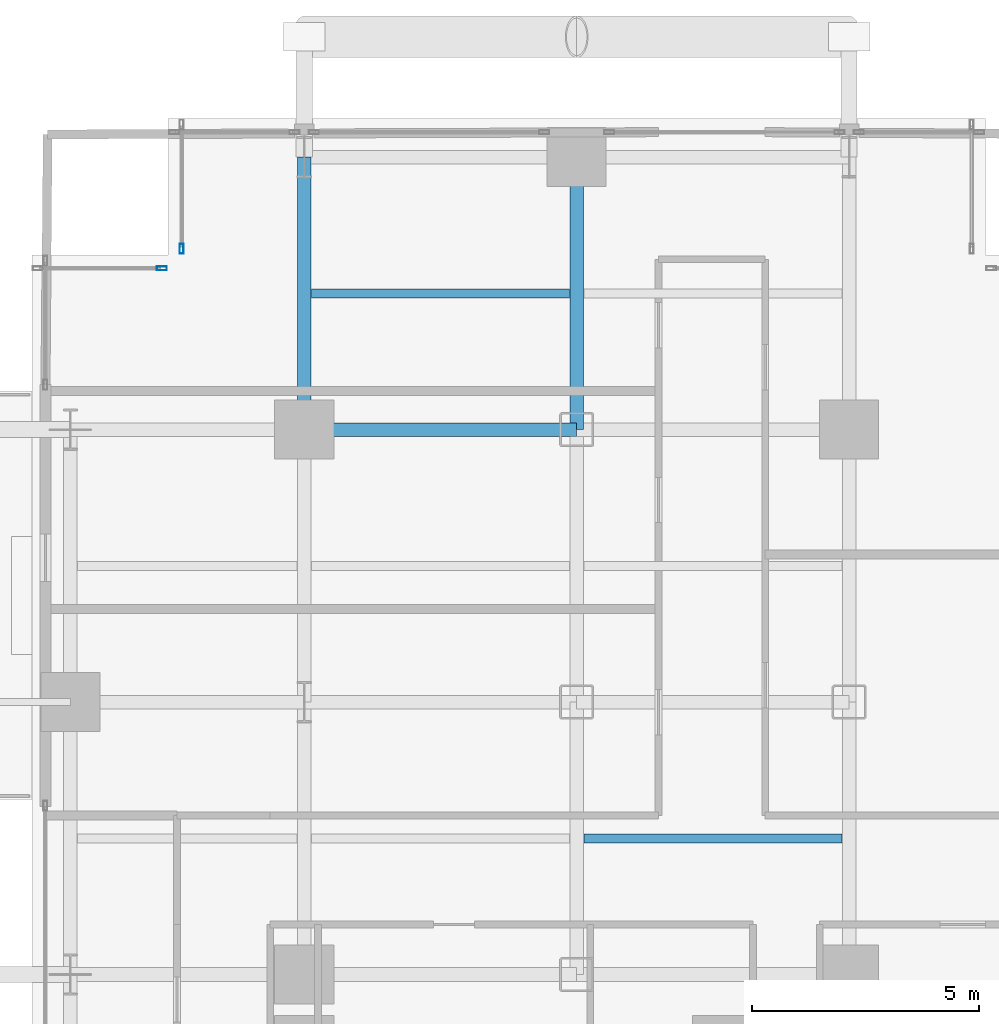
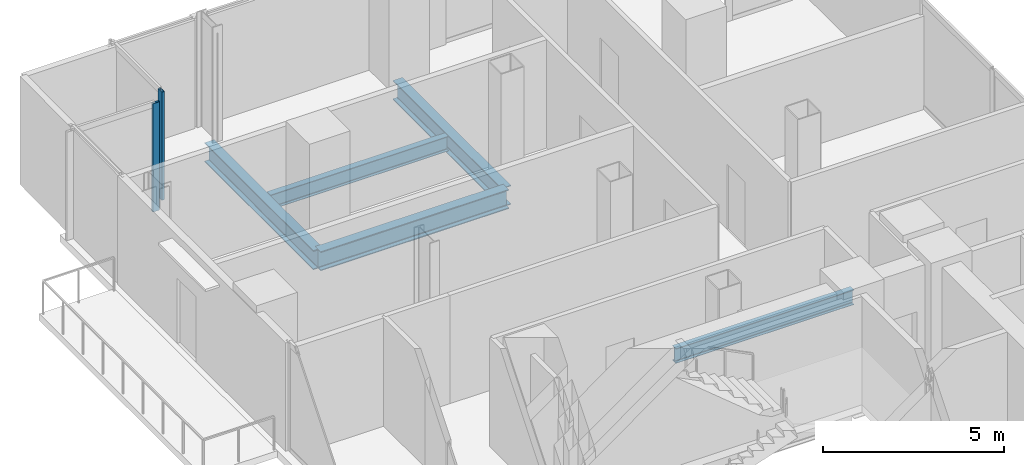
# One storey, part 14 of 27: 5 beams, 2 members, 2 elements without a shape of their own.
"""IFC4 building model written with IfcOpenShell, lengths in metres."""

from ifc_helpers import new_model, si_unit, direction, frame, origin, origin_2d, place, context, subcontext, project, spatial, hollow_rectangle, i_section, extrude, material, layer, layer_set, material_profile, profile_set, type_object, element, aggregate, save


model = new_model("IFC4")

# Units and contexts
model_context = context("Model", 3, precision=1e-05, world=origin(), true_north=direction((0.0, 1.0)))
body_context = subcontext(model_context, "Body", "Model", "MODEL_VIEW")
ifc_project = project(units=[si_unit("LENGTHUNIT", "METRE"), si_unit("AREAUNIT", "SQUARE_METRE"), si_unit("VOLUMEUNIT", "CUBIC_METRE"), si_unit("PLANEANGLEUNIT", "RADIAN"), si_unit("MASSUNIT", "GRAM", prefix="KILO"), si_unit("THERMODYNAMICTEMPERATUREUNIT", "KELVIN"), si_unit("POWERUNIT", "WATT")], contexts=[model_context])

# Site, building, storey
site_placement = place(None, origin())
site = spatial("IfcSite", under=ifc_project, at=site_placement, CompositionType="ELEMENT")
building_placement = place(site_placement, origin())
building = spatial("IfcBuilding", under=site, at=building_placement, Name="Svarakhadi Broadcast Tower", CompositionType="ELEMENT")
storey_placement = place(building_placement, frame((0.0, 0.0, 71.39990234375)))
storey = spatial("IfcBuildingStorey", under=building, at=storey_placement, Name="L16", CompositionType="ELEMENT", Elevation=71.39990234375)

# Beams
ifc_material_1 = material(Name="Steel S355J2 (IS 2062 E350C)", Category="steel")
ifc_material_profile_1 = material_profile(ifc_material_1, i_section(OverallWidth=0.199951171875, OverallDepth=0.5, WebThickness=0.01025390625, FlangeThickness=0.01611328125, FilletRadius=0.02099609375, at=origin_2d()), Name="NPB 500x200x91")
ifc_profile_set_1 = profile_set([ifc_material_profile_1], Name="Steel S355J2 (IS 2062 E350C)")
beam_type_1 = type_object("IfcBeamType", Name="Beam_NPB500", PredefinedType="BEAM", material=ifc_profile_set_1)
for number, where, z_axis, x_axis, name in (
    (1, (6.159912109375, 44.14990234375, -0.5), (1.0, 0.0, 0.0), (0.0, 1.0, 0.0), "L16 Secondary Composite Beam SB012"),
    (2, (12.159912109375, 32.14990234375, -0.5), (1.0, 0.0, 0.0), (0.0, 1.0, 0.0), "L16 Secondary Composite Beam SB016"),
):
    element("IfcBeam", number, at=place(storey_placement, frame(where, z_axis=z_axis, x_axis=x_axis)), inside=storey, type_object=beam_type_1, Name=name, PredefinedType="BEAM", context=body_context, shape_type="SweptSolid", body=[
        extrude(i_section(OverallWidth=0.199951171875, OverallDepth=0.5, WebThickness=0.01025390625, FlangeThickness=0.01611328125, FilletRadius=0.02099609375, at=origin_2d()), origin(), (0.0, 0.0, 1.0), 5.68017578125),
    ])

# Curtain wall, member
ifc_material_2 = material(Name="Anodised Bronze Aluminium AA 6063-T6", Category="aluminium")
ifc_layer = layer(ifc_material_2, 0.219970703125)
ifc_layer_set = layer_set([ifc_layer], Name="Anodised Bronze Aluminium AA 6063-T6")
curtain_wall_type = type_object("IfcCurtainWallType", Name="CW_Sys_02", PredefinedType="NOTDEFINED", material=ifc_layer_set)
curtain_wall_1_placement = place(storey_placement, origin())
curtain_wall_1 = element("IfcCurtainWall", 3, at=curtain_wall_1_placement, inside=storey, type_object=curtain_wall_type, Name="L16 Unitised Facade Curtain Wall 04", PredefinedType="NOTDEFINED")
ifc_material_profile_2 = material_profile(ifc_material_2, hollow_rectangle(XDim=0.0849609375, YDim=0.219970703125, WallThickness=0.006103515625, at=origin_2d()), Name="ALU MULLION 220x85x6")
ifc_profile_set_2 = profile_set([ifc_material_profile_2], Name="Anodised Bronze Aluminium AA 6063-T6")
member_type = type_object("IfcMemberType", Name="CW_Sys_02_Mul", PredefinedType="MULLION", material=ifc_profile_set_2)
member_1_placement = place(storey_placement, frame((2.867431640625, 44.699951171875, 0.0), z_axis=(0.0, 0.0, 1.0), x_axis=(0.0, 1.0, 0.0)))
member_1 = element("IfcMember", 4, at=member_1_placement, type_object=member_type, Name="CW-02 mullion 2", PredefinedType="MULLION", context=body_context, shape_type="SweptSolid", body=[
    extrude(hollow_rectangle(XDim=0.0849609375, YDim=0.219970703125, WallThickness=0.006103515625, at=origin_2d()), origin(), (0.0, 0.0, 1.0), 3.650146484375),
])
aggregate(curtain_wall_1, [member_1])

curtain_wall_2_placement = place(storey_placement, origin())
curtain_wall_2 = element("IfcCurtainWall", 5, at=curtain_wall_2_placement, inside=storey, type_object=curtain_wall_type, Name="L16 Unitised Facade Curtain Wall 05", PredefinedType="NOTDEFINED")
member_2_placement = place(storey_placement, frame((3.300048828125, 45.132568359375, 0.0), z_axis=(0.0, 0.0, 1.0), x_axis=(-1.0, 0.0, 0.0)))
member_2 = element("IfcMember", 6, at=member_2_placement, type_object=member_type, Name="CW-02 mullion 1", PredefinedType="MULLION", context=body_context, shape_type="SweptSolid", body=[
    extrude(hollow_rectangle(XDim=0.0849609375, YDim=0.219970703125, WallThickness=0.006103515625, at=origin_2d()), origin(), (0.0, 0.0, 1.0), 3.650146484375),
])
aggregate(curtain_wall_2, [member_2])

# Beams
ifc_material_profile_3 = material_profile(ifc_material_1, i_section(OverallWidth=0.300048828125, OverallDepth=0.64990234375, WebThickness=0.01611328125, FlangeThickness=0.031005859375, FilletRadius=0.027099609375, at=origin_2d()), Name="WPB 650x300x225")
ifc_profile_set_3 = profile_set([ifc_material_profile_3], Name="Steel S355J2 (IS 2062 E350C)")
beam_type_2 = type_object("IfcBeamType", Name="Girder_WPB650", PredefinedType="USERDEFINED", material=ifc_profile_set_3)
for number, where, z_axis, x_axis, name in (
    (7, (6.0, 41.14990234375, -0.574951171875), (1.0, 0.0, 0.0), (0.0, 1.0, 0.0), "L16 Primary E-W Girder G041"),
    (8, (6.0, 41.14990234375, -0.574951171875), (0.0, 1.0, 0.0), (-1.0, 0.0, 0.0), "L16 Primary N-S Girder G057"),
    (9, (12.0, 41.14990234375, -0.574951171875), (0.0, 1.0, 0.0), (-1.0, 0.0, 0.0), "L16 Primary N-S Girder G063"),
):
    element("IfcBeam", number, at=place(storey_placement, frame(where, z_axis=z_axis, x_axis=x_axis)), inside=storey, type_object=beam_type_2, Name=name, ObjectType="GIRDER", PredefinedType="USERDEFINED", context=body_context, shape_type="SweptSolid", body=[
        extrude(i_section(OverallWidth=0.300048828125, OverallDepth=0.64990234375, WebThickness=0.01611328125, FlangeThickness=0.031005859375, FilletRadius=0.027099609375, at=origin_2d()), origin(), (0.0, 0.0, 1.0), 6.0),
    ])

save(model, "model.ifc")
